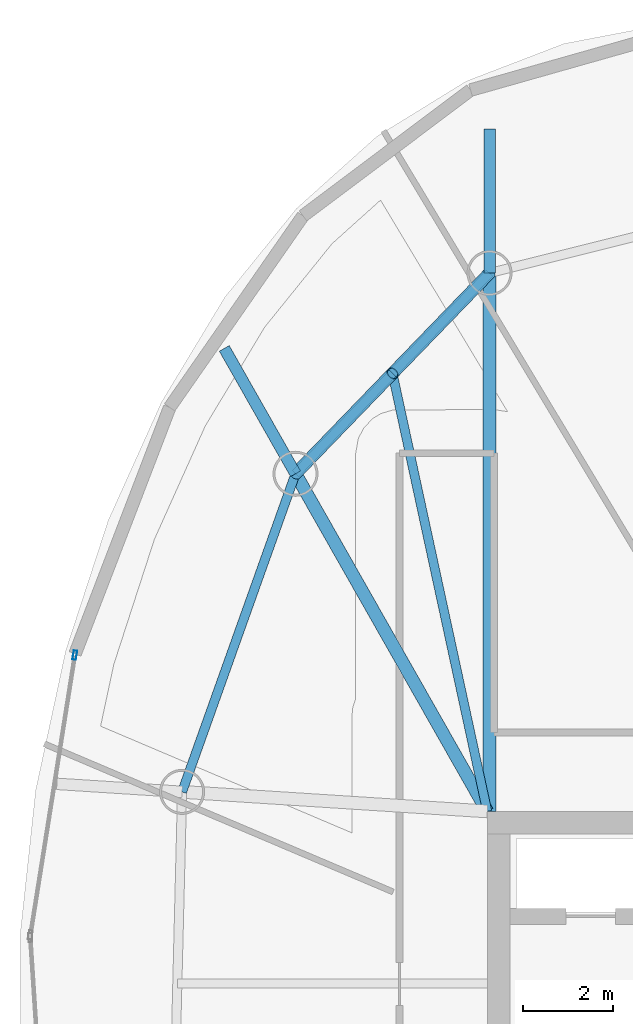
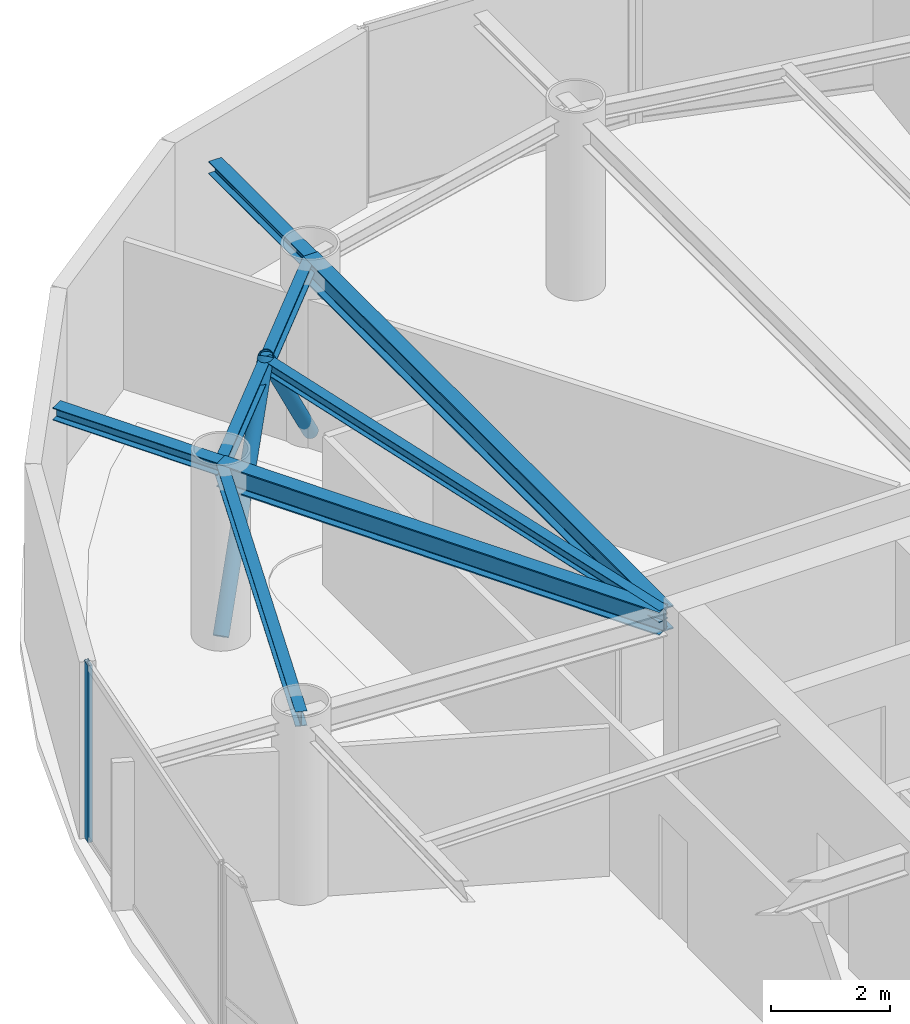
# One storey, part 8 of 18: 7 beams, 3 members, 1 element without a shape of its own.
"""IFC4 building model written with IfcOpenShell, lengths in metres."""

from ifc_helpers import new_model, si_unit, direction, frame, origin, origin_2d, place, context, subcontext, project, spatial, hollow_rectangle, hollow_circle, i_section, extrude, material, layer, layer_set, material_profile, profile_set, type_object, element, aggregate, save


model = new_model("IFC4")

# Units and contexts
model_context = context("Model", 3, precision=1e-05, world=origin(), true_north=direction((0.0, 1.0)))
body_context = subcontext(model_context, "Body", "Model", "MODEL_VIEW")
ifc_project = project(units=[si_unit("LENGTHUNIT", "METRE"), si_unit("AREAUNIT", "SQUARE_METRE"), si_unit("VOLUMEUNIT", "CUBIC_METRE"), si_unit("PLANEANGLEUNIT", "RADIAN"), si_unit("MASSUNIT", "GRAM", prefix="KILO")], contexts=[model_context])

# Site, building, storey
site_placement = place(None, origin())
site = spatial("IfcSite", under=ifc_project, at=site_placement, CompositionType="ELEMENT")
building_placement = place(site_placement, origin())
building = spatial("IfcBuilding", under=site, at=building_placement, Name="Bramvorn Convention Spire", CompositionType="ELEMENT")
storey_placement = place(building_placement, frame((0.0, 0.0, 288.25)))
storey = spatial("IfcBuildingStorey", under=building, at=storey_placement, Name="L73", CompositionType="ELEMENT", Elevation=288.25)

# Beams
ifc_material_1 = material(Name="Steel CSA G40.21 Grade 350 (350W)", Category="steel")
ifc_material_profile_1 = material_profile(ifc_material_1, i_section(OverallWidth=0.201904296875, OverallDepth=0.2470703125, WebThickness=0.00732421875, FlangeThickness=0.010986328125, FilletRadius=0.011962890625, at=origin_2d()))
ifc_profile_set_1 = profile_set([ifc_material_profile_1], Name="Steel CSA G40.21 Grade 350 (350W) - W250X49")
beam_type_1 = type_object("IfcBeamType", Name="BM-W250X49", PredefinedType="JOIST", material=ifc_profile_set_1)
beam_1_placement = place(storey_placement, frame((26.75, 33.449951171875, 3.50146484375), z_axis=(-0.211461445939, 0.977386339623, 0.0), x_axis=(-0.977386339623, -0.211461445939, 0.0)))
element("IfcBeam", 1, at=beam_1_placement, inside=storey, type_object=beam_type_1, Name="L73 composite floor joist 09", PredefinedType="JOIST", context=body_context, shape_type="SweptSolid", body=[
    extrude(i_section(OverallWidth=0.201904296875, OverallDepth=0.2470703125, WebThickness=0.00732421875, FlangeThickness=0.010986328125, FilletRadius=0.011962890625, at=origin_2d()), origin(), (0.0, 0.0, 1.0), 9.9462890625),
])
ifc_material_profile_2 = material_profile(ifc_material_1, i_section(OverallWidth=0.25390625, OverallDepth=0.2529296875, WebThickness=0.008544921875, FlangeThickness=0.01416015625, FilletRadius=0.011962890625, at=origin_2d()))
ifc_profile_set_2 = profile_set([ifc_material_profile_2], Name="Steel CSA G40.21 Grade 350 (350W) - W250X73")
beam_type_2 = type_object("IfcBeamType", Name="BM-W250X73", PredefinedType="BEAM", material=ifc_profile_set_2)
beam_2_placement = place(storey_placement, frame((26.800048828125, 45.39892578125, 3.49853515625), z_axis=(0.0, 1.0, 0.0), x_axis=(-1.0, 0.0, 0.0)))
element("IfcBeam", 2, at=beam_2_placement, inside=storey, type_object=beam_type_2, Name="L73 slab-edge cantilever tip beam MC09", PredefinedType="BEAM", context=body_context, shape_type="SweptSolid", body=[
    extrude(i_section(OverallWidth=0.25390625, OverallDepth=0.2529296875, WebThickness=0.008544921875, FlangeThickness=0.01416015625, FilletRadius=0.011962890625, at=origin_2d()), origin(), (0.0, 0.0, 1.0), 3.2001953125),
])
beam_3_placement = place(storey_placement, frame((22.49365234375, 40.94384765625, 3.49853515625), z_axis=(-0.493918961888, 0.869507940785, 0.0), x_axis=(-0.869507940785, -0.493918961888, 0.0)))
element("IfcBeam", 3, at=beam_3_placement, inside=storey, type_object=beam_type_2, Name="L73 slab-edge cantilever tip beam MC10", PredefinedType="BEAM", context=body_context, shape_type="SweptSolid", body=[
    extrude(i_section(OverallWidth=0.25390625, OverallDepth=0.2529296875, WebThickness=0.008544921875, FlangeThickness=0.01416015625, FilletRadius=0.011962890625, at=origin_2d()), origin(), (0.0, 0.0, 1.0), 3.199951171875),
])
ifc_material_profile_3 = material_profile(ifc_material_1, i_section(OverallWidth=0.202880859375, OverallDepth=0.302978515625, WebThickness=0.007568359375, FlangeThickness=0.01318359375, FilletRadius=0.013916015625, at=origin_2d()))
ifc_profile_set_3 = profile_set([ifc_material_profile_3], Name="Steel CSA G40.21 Grade 350 (350W) - W310X60")
beam_type_3 = type_object("IfcBeamType", Name="BM-W310X60", PredefinedType="JOIST", material=ifc_profile_set_3)
beam_4_placement = place(storey_placement, frame((26.800048828125, 45.39892578125, 3.473388671875), z_axis=(-0.695007159797, -0.719002814898, 0.0), x_axis=(0.719002814898, -0.695007159797, 0.0)))
element("IfcBeam", 4, at=beam_4_placement, inside=storey, type_object=beam_type_3, Name="L73 mega-column ring beam 09", PredefinedType="JOIST", context=body_context, shape_type="SweptSolid", body=[
    extrude(i_section(OverallWidth=0.202880859375, OverallDepth=0.302978515625, WebThickness=0.007568359375, FlangeThickness=0.01318359375, FilletRadius=0.013916015625, at=origin_2d()), origin(), (0.0, 0.0, 1.0), 6.1962890625),
])
beam_5_placement = place(storey_placement, frame((22.49365234375, 40.94384765625, 3.473388671875), z_axis=(-0.335839090413, -0.941919373063, 0.0), x_axis=(0.941919373063, -0.335839090413, 0.0)))
element("IfcBeam", 5, at=beam_5_placement, inside=storey, type_object=beam_type_3, Name="L73 mega-column ring beam 10", PredefinedType="JOIST", context=body_context, shape_type="SweptSolid", body=[
    extrude(i_section(OverallWidth=0.202880859375, OverallDepth=0.302978515625, WebThickness=0.007568359375, FlangeThickness=0.01318359375, FilletRadius=0.013916015625, at=origin_2d()), origin(), (0.0, 0.0, 1.0), 7.49560546875),
])
ifc_material_profile_4 = material_profile(ifc_material_1, i_section(OverallWidth=0.283935546875, OverallDepth=0.47607421875, WebThickness=0.014892578125, FlangeThickness=0.02392578125, FilletRadius=0.01806640625, at=origin_2d()))
ifc_profile_set_4 = profile_set([ifc_material_profile_4], Name="Steel CSA G40.21 Grade 350 (350W) - W460X158")
beam_type_4 = type_object("IfcBeamType", Name="BM-W460X158", PredefinedType="SPANDREL", material=ifc_profile_set_4)
beam_6_placement = place(storey_placement, frame((26.800048828125, 33.449951171875, 3.386962890625), z_axis=(0.0, 1.0, 0.0), x_axis=(-1.0, 0.0, 0.0)))
element("IfcBeam", 6, at=beam_6_placement, inside=storey, type_object=beam_type_4, Name="L73 radial floor girder MC09", PredefinedType="SPANDREL", context=body_context, shape_type="SweptSolid", body=[
    extrude(i_section(OverallWidth=0.283935546875, OverallDepth=0.47607421875, WebThickness=0.014892578125, FlangeThickness=0.02392578125, FilletRadius=0.01806640625, at=origin_2d()), origin(), (0.0, 0.0, 1.0), 11.948974609375),
])
beam_7_placement = place(storey_placement, frame((26.75, 33.449951171875, 3.386962890625), z_axis=(-0.493873612118, 0.869533699895, 0.0), x_axis=(-0.869533699895, -0.493873612118, 0.0)))
element("IfcBeam", 7, at=beam_7_placement, inside=storey, type_object=beam_type_4, Name="L73 radial floor girder MC10", PredefinedType="SPANDREL", context=body_context, shape_type="SweptSolid", body=[
    extrude(i_section(OverallWidth=0.283935546875, OverallDepth=0.47607421875, WebThickness=0.014892578125, FlangeThickness=0.02392578125, FilletRadius=0.01806640625, at=origin_2d()), origin(), (0.0, 0.0, 1.0), 8.618408203125),
])

# Curtain wall, member
ifc_material_2 = material(Name="Anodised Bronze Unitised Curtain Wall", Category="aluminium")
ifc_layer = layer(ifc_material_2, 0.179931640625)
ifc_layer_set = layer_set([ifc_layer], Name="Anodised Bronze Unitised Curtain Wall - CW-OFF-FRIT")
curtain_wall_type = type_object("IfcCurtainWallType", Name="CW-OFF-FRIT", PredefinedType="USERDEFINED", material=ifc_layer_set)
curtain_wall_placement = place(storey_placement, origin())
curtain_wall = element("IfcCurtainWall", 8, at=curtain_wall_placement, inside=storey, type_object=curtain_wall_type, Name="L73 fritted glass curtain wall 16", ObjectType="UNITISED CURTAIN WALL", PredefinedType="USERDEFINED")
ifc_material_3 = material(Name="Anodised Bronze Aluminium 6063-T6", Category="aluminium")
ifc_material_profile_5 = material_profile(ifc_material_3, hollow_rectangle(XDim=0.080078125, YDim=0.199951171875, WallThickness=0.00390625, InnerFilletRadius=0.0009765625, OuterFilletRadius=0.00390625, at=origin_2d()))
ifc_profile_set_5 = profile_set([ifc_material_profile_5], Name="Anodised Bronze Aluminium 6063-T6 - CWM80X200")
member_type_1 = type_object("IfcMemberType", Name="CW-MUL-180", PredefinedType="MULLION", material=ifc_profile_set_5)
member_placement = place(storey_placement, frame((17.59619140625, 36.9169921875, 0.0), z_axis=(0.0, 0.0, 1.0), x_axis=(-0.98760863423, 0.156936884111, 0.0)))
member = element("IfcMember", 9, at=member_placement, type_object=member_type_1, Name="CW3 mullion 2", PredefinedType="MULLION", context=body_context, shape_type="SweptSolid", body=[
    extrude(hollow_rectangle(XDim=0.080078125, YDim=0.199951171875, WallThickness=0.00390625, InnerFilletRadius=0.0009765625, OuterFilletRadius=0.00390625, at=origin_2d()), origin(), (0.0, 0.0, 1.0), 3.625),
])
aggregate(curtain_wall, [member])

# Members
ifc_material_profile_6 = material_profile(ifc_material_1, hollow_circle(Radius=0.136474609375, WallThickness=0.0126953125, at=origin_2d()))
ifc_profile_set_6 = profile_set([ifc_material_profile_6], Name="Steel CSA G40.21 Grade 350 (350W) - CHS273X13")
member_type_2 = type_object("IfcMemberType", Name="MBR-CHS273X13", PredefinedType="BRACE", material=ifc_profile_set_6)
for number, where, z_axis, x_axis, name in (
    (10, (26.800048828125, 45.39892578125, 0.0), (-0.451564377753, -0.467128501431, 0.760184566993), (0.718983125626, -0.695027528279, 0.0), "L73 perimeter Gothic lancet brace 9A"),
    (11, (22.49365234375, 40.94384765625, 0.0), (0.451523618323, 0.46713930078, 0.760202141383), (-0.719022504671, 0.694986789642, 0.0), "L73 perimeter Gothic lancet brace 9B"),
):
    element("IfcMember", number, at=place(storey_placement, frame(where, z_axis=z_axis, x_axis=x_axis)), inside=storey, type_object=member_type_2, Name=name, PredefinedType="BRACE", context=body_context, shape_type="SweptSolid", body=[
        extrude(hollow_circle(Radius=0.136474609375, WallThickness=0.0126953125, at=origin_2d()), origin(), (0.0, 0.0, 1.0), 4.7685546875),
    ])

save(model, "model.ifc")
